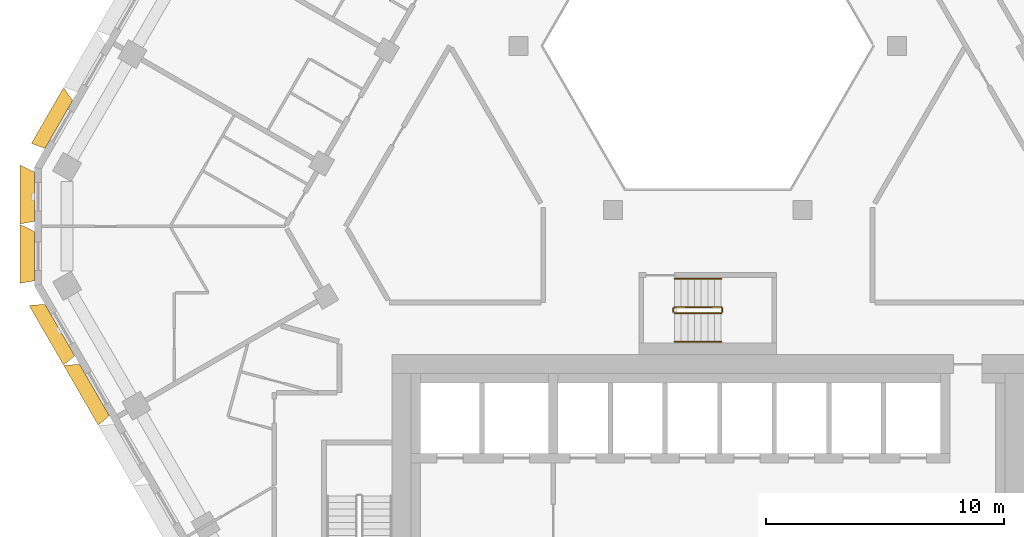
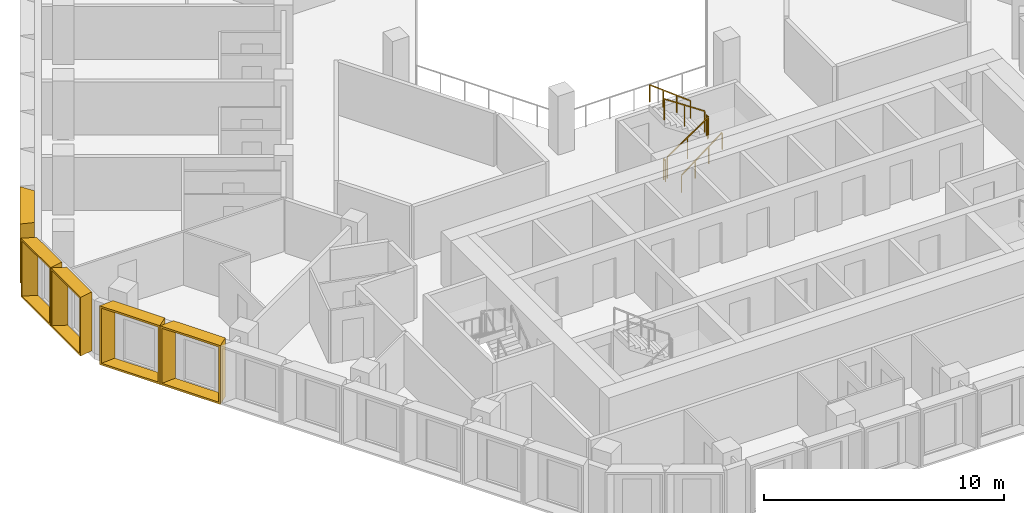
# One storey, part 15 of 17: 6 railings, 5 shading devices.
"""IFC4 building model written with IfcOpenShell, lengths in metres."""

from ifc_helpers import new_model, entity, si_unit, direction, frame, origin, origin_2d, place, context, subcontext, project, spatial, rectangle, extrude, source, transform, mapped, material, type_object, type_shapes, element, save


model = new_model("IFC4")

# Units and contexts
model_context = context("Model", 3, precision=1e-05, world=origin(), true_north=direction((0.0, 1.0)))
body_context = subcontext(model_context, "Body", "Model", "MODEL_VIEW")
ifc_project = project(units=[si_unit("LENGTHUNIT", "METRE"), si_unit("AREAUNIT", "SQUARE_METRE"), si_unit("VOLUMEUNIT", "CUBIC_METRE"), si_unit("PLANEANGLEUNIT", "RADIAN"), si_unit("MASSUNIT", "GRAM", prefix="KILO")], contexts=[model_context])

# Site, building, storey
site_placement = place(None, origin())
site = spatial("IfcSite", under=ifc_project, at=site_placement, CompositionType="ELEMENT")
building_placement = place(site_placement, origin())
building = spatial("IfcBuilding", under=site, at=building_placement, Name="Beryl Residences", CompositionType="ELEMENT")
storey_placement = place(building_placement, frame((0.0, 0.0, 132.60009765625)))
storey = spatial("IfcBuildingStorey", under=building, at=storey_placement, Name="L40", CompositionType="ELEMENT", Elevation=132.60009765625)

# Shading devices
ifc_material_1 = material(Name="Aluminium pale anodised", Category="aluminium")
shading_device_type_1 = type_object("IfcShadingDeviceType", Name="FR250-60B OUTER SKIN frame 600 mm deep, splay 26/10 deg, 2500 x 3000 mm cell", PredefinedType="USERDEFINED", material=ifc_material_1)
cartesian_point_1 = entity("IfcCartesianPoint", [-1.04052734375, 0.0])
cartesian_point_2 = entity("IfcCartesianPoint", [-0.951416015625, 0.10009765625])
cartesian_point_3 = entity("IfcCartesianPoint", [-1.333251953125, 0.0])
cartesian_point_4 = entity("IfcCartesianPoint", [-1.244140625, 0.10009765625])
shared_shape_1 = source(origin(), body_context, "Body", "SweptSolid", [
    entity("IfcExtrudedAreaSolidTapered", entity("IfcArbitraryProfileDefWithVoids", "AREA", None, entity("IfcPolyline", [cartesian_point_1, entity("IfcCartesianPoint", [1.04052734375, 0.0]), entity("IfcCartesianPoint", [1.04052734375, 3.0]), entity("IfcCartesianPoint", [-1.04052734375, 3.0]), cartesian_point_1]), [entity("IfcPolyline", [cartesian_point_2, entity("IfcCartesianPoint", [0.959228515625, 0.10009765625]), entity("IfcCartesianPoint", [0.959228515625, 2.89990234375]), entity("IfcCartesianPoint", [-0.951416015625, 2.89990234375]), cartesian_point_2])]), entity("IfcAxis2Placement3D", entity("IfcCartesianPoint", [0.0, 0.0, 0.0]), entity("IfcDirection", [0.0, 1.0, 0.0]), entity("IfcDirection", [-1.0, 0.0, 0.0])), entity("IfcDirection", [0.0, 0.0, 1.0]), 0.60009765625, entity("IfcArbitraryProfileDefWithVoids", "AREA", None, entity("IfcPolyline", [cartesian_point_3, entity("IfcCartesianPoint", [1.146240234375, 0.0]), entity("IfcCartesianPoint", [1.146240234375, 3.0]), entity("IfcCartesianPoint", [-1.333251953125, 3.0]), cartesian_point_3]), [entity("IfcPolyline", [cartesian_point_4, entity("IfcCartesianPoint", [1.06494140625, 0.10009765625]), entity("IfcCartesianPoint", [1.06494140625, 2.89990234375]), entity("IfcCartesianPoint", [-1.244140625, 2.89990234375]), cartesian_point_4])])),
])
type_shapes(shading_device_type_1, [shared_shape_1])
for number, where, z_axis, x_axis, name in (
    (1, (-28.347900390625, 1.64990234375, 0.0), (0.0, 0.0, 1.0), (0.0, 1.0, 0.0), "FR250-60B frame L40 NW-SW 1"),
    (2, (-28.347900390625, -0.85009765625, 0.0), (0.0, 0.0, 1.0), (0.0, 1.0, 0.0), "FR250-60B frame L40 NW-SW 2"),
):
    element("IfcShadingDevice", number, at=place(storey_placement, frame(where, z_axis=z_axis, x_axis=x_axis)), inside=storey, type_object=shading_device_type_1, Name=name, ObjectType="OUTER SKIN", PredefinedType="USERDEFINED", context=body_context, shape_type="MappedRepresentation", body=[
        mapped(shared_shape_1, transform((0.0, 0.0, 0.0))),
    ])
ifc_material_2 = material(Name="Aluminium pale anodised", Category="aluminium")
shading_device_type_2 = type_object("IfcShadingDeviceType", Name="FR274-60B OUTER SKIN frame 600 mm deep, splay 26/10 deg, 2740 x 3000 mm cell", PredefinedType="USERDEFINED", material=ifc_material_2)
cartesian_point_5 = entity("IfcCartesianPoint", [-1.160400390625, 0.0])
cartesian_point_6 = entity("IfcCartesianPoint", [-1.071533203125, 0.10009765625])
cartesian_point_7 = entity("IfcCartesianPoint", [-1.453125, 0.0])
cartesian_point_8 = entity("IfcCartesianPoint", [-1.364013671875, 0.10009765625])
shared_shape_2 = source(origin(), body_context, "Body", "SweptSolid", [
    entity("IfcExtrudedAreaSolidTapered", entity("IfcArbitraryProfileDefWithVoids", "AREA", None, entity("IfcPolyline", [cartesian_point_5, entity("IfcCartesianPoint", [1.160400390625, 0.0]), entity("IfcCartesianPoint", [1.160400390625, 3.0]), entity("IfcCartesianPoint", [-1.160400390625, 3.0]), cartesian_point_5]), [entity("IfcPolyline", [cartesian_point_6, entity("IfcCartesianPoint", [1.079345703125, 0.10009765625]), entity("IfcCartesianPoint", [1.079345703125, 2.89990234375]), entity("IfcCartesianPoint", [-1.071533203125, 2.89990234375]), cartesian_point_6])]), entity("IfcAxis2Placement3D", entity("IfcCartesianPoint", [0.0, 0.0, 0.0]), entity("IfcDirection", [0.0, 1.0, 0.0]), entity("IfcDirection", [-1.0, 0.0, 0.0])), entity("IfcDirection", [0.0, 0.0, 1.0]), 0.60009765625, entity("IfcArbitraryProfileDefWithVoids", "AREA", None, entity("IfcPolyline", [cartesian_point_7, entity("IfcCartesianPoint", [1.266357421875, 0.0]), entity("IfcCartesianPoint", [1.266357421875, 3.0]), entity("IfcCartesianPoint", [-1.453125, 3.0]), cartesian_point_7]), [entity("IfcPolyline", [cartesian_point_8, entity("IfcCartesianPoint", [1.18505859375, 0.10009765625]), entity("IfcCartesianPoint", [1.18505859375, 2.89990234375]), entity("IfcCartesianPoint", [-1.364013671875, 2.89990234375]), cartesian_point_8])])),
])
type_shapes(shading_device_type_2, [shared_shape_2])
shading_device_placement = place(storey_placement, frame((-27.31591796875, 4.68701171875, 0.0), z_axis=(0.0, 0.0, 1.0), x_axis=(0.5, 0.866025403784, 0.0)))
element("IfcShadingDevice", 3, at=shading_device_placement, inside=storey, type_object=shading_device_type_2, Name="FR274-60B frame L40 NW 8", ObjectType="OUTER SKIN", PredefinedType="USERDEFINED", context=body_context, shape_type="MappedRepresentation", body=[
    mapped(shared_shape_2, transform((0.0, 0.0, 0.0))),
])
ifc_material_3 = material(Name="Aluminium pale anodised", Category="aluminium")
shading_device_type_3 = type_object("IfcShadingDeviceType", Name="FR292-60B OUTER SKIN frame 600 mm deep, splay 26/10 deg, 2920 x 3000 mm cell", PredefinedType="USERDEFINED", material=ifc_material_3)
cartesian_point_9 = entity("IfcCartesianPoint", [-1.25048828125, 0.0])
cartesian_point_10 = entity("IfcCartesianPoint", [-1.161376953125, 0.10009765625])
cartesian_point_11 = entity("IfcCartesianPoint", [-1.543212890625, 0.0])
cartesian_point_12 = entity("IfcCartesianPoint", [-1.4541015625, 0.10009765625])
shared_shape_3 = source(origin(), body_context, "Body", "SweptSolid", [
    entity("IfcExtrudedAreaSolidTapered", entity("IfcArbitraryProfileDefWithVoids", "AREA", None, entity("IfcPolyline", [cartesian_point_9, entity("IfcCartesianPoint", [1.25048828125, 0.0]), entity("IfcCartesianPoint", [1.25048828125, 3.0]), entity("IfcCartesianPoint", [-1.25048828125, 3.0]), cartesian_point_9]), [entity("IfcPolyline", [cartesian_point_10, entity("IfcCartesianPoint", [1.169189453125, 0.10009765625]), entity("IfcCartesianPoint", [1.169189453125, 2.89990234375]), entity("IfcCartesianPoint", [-1.161376953125, 2.89990234375]), cartesian_point_10])]), entity("IfcAxis2Placement3D", entity("IfcCartesianPoint", [0.0, 0.0, 0.0]), entity("IfcDirection", [0.0, 1.0, 0.0]), entity("IfcDirection", [-1.0, 0.0, 0.0])), entity("IfcDirection", [0.0, 0.0, 1.0]), 0.60009765625, entity("IfcArbitraryProfileDefWithVoids", "AREA", None, entity("IfcPolyline", [cartesian_point_11, entity("IfcCartesianPoint", [1.356201171875, 0.0]), entity("IfcCartesianPoint", [1.356201171875, 3.0]), entity("IfcCartesianPoint", [-1.543212890625, 3.0]), cartesian_point_11]), [entity("IfcPolyline", [cartesian_point_12, entity("IfcCartesianPoint", [1.275146484375, 0.10009765625]), entity("IfcCartesianPoint", [1.275146484375, 2.89990234375]), entity("IfcCartesianPoint", [-1.4541015625, 2.89990234375]), cartesian_point_12])])),
])
type_shapes(shading_device_type_3, [shared_shape_3])
for number, where, z_axis, x_axis, name in (
    (4, (-27.27294921875, -3.9619140625, 0.0), (0.0, 0.0, 1.0), (-0.5, 0.866025403784, 0.0), "FR292-60B frame L40 SW 1"),
    (5, (-25.81494140625, -6.487060546875, 0.0), (0.0, 0.0, 1.0), (-0.5, 0.866025403784, 0.0), "FR292-60B frame L40 SW 2"),
):
    element("IfcShadingDevice", number, at=place(storey_placement, frame(where, z_axis=z_axis, x_axis=x_axis)), inside=storey, type_object=shading_device_type_3, Name=name, ObjectType="OUTER SKIN", PredefinedType="USERDEFINED", context=body_context, shape_type="MappedRepresentation", body=[
        mapped(shared_shape_3, transform((0.0, 0.0, 0.0))),
    ])

# Railings
ifc_material_4 = material(Name="Stainless steel balustrade with glass infill", Category="steel")
railing_type_1 = type_object("IfcRailingType", Name="SG1 stair guard 1100 mm", PredefinedType="GUARDRAIL", material=ifc_material_4)
railing_1_placement = place(storey_placement, frame((-1.39990234375, -3.25, 0.1875)))
element("IfcRailing", 6, at=railing_1_placement, inside=storey, type_object=railing_type_1, Name="L40 ST-4 stair guard 1", PredefinedType="GUARDRAIL", context=body_context, shape_type="SweptSolid", body=[
    extrude(rectangle(XDim=0.048095703125, YDim=0.048095703125, at=origin_2d()), frame((0.0, 0.0, 1.076171875), z_axis=(0.830902050051, 0.0, 0.556418712142), x_axis=(0.0, 1.0, 0.0)), (0.0, 0.0, 1.0), 2.35888671875),
    extrude(rectangle(XDim=0.0419921875, YDim=0.0419921875, at=origin_2d()), origin(), (0.0, 0.0, 1.0), 1.052001953125),
    extrude(rectangle(XDim=0.0419921875, YDim=0.0419921875, at=origin_2d()), frame((0.97998046875, 0.0, 0.65625)), (0.0, 0.0, 1.0), 1.052001953125),
    extrude(rectangle(XDim=0.0419921875, YDim=0.0419921875, at=origin_2d()), frame((1.9599609375, 0.0, 1.3125)), (0.0, 0.0, 1.0), 1.052001953125),
])
railing_2_placement = place(storey_placement, frame((0.610107421875, -3.199951171875, 1.5)))
element("IfcRailing", 7, at=railing_2_placement, inside=storey, type_object=railing_type_1, Name="L40 ST-4 stair guard 2", PredefinedType="GUARDRAIL", context=body_context, shape_type="SweptSolid", body=[
    extrude(rectangle(XDim=0.048095703125, YDim=0.048095703125, at=origin_2d()), frame((0.0, 0.0, 1.076171875), z_axis=(0.0, 1.0, 0.0), x_axis=(-1.0, 0.0, 0.0)), (0.0, 0.0, 1.0), 0.14990234375),
    extrude(rectangle(XDim=0.0419921875, YDim=0.0419921875, at=origin_2d()), origin(), (0.0, 0.0, 1.0), 1.052001953125),
    extrude(rectangle(XDim=0.0419921875, YDim=0.0419921875, at=origin_2d()), frame((0.0, 0.14990234375, 0.0)), (0.0, 0.0, 1.0), 1.052001953125),
])
railing_3_placement = place(storey_placement, frame((0.56005859375, -3.0, 1.6875)))
element("IfcRailing", 8, at=railing_3_placement, inside=storey, type_object=railing_type_1, Name="L40 ST-4 stair guard 3", PredefinedType="GUARDRAIL", context=body_context, shape_type="SweptSolid", body=[
    extrude(rectangle(XDim=0.048095703125, YDim=0.048095703125, at=origin_2d()), frame((0.0, 0.0, 1.076171875), z_axis=(-0.830902050051, 0.0, 0.556418712142), x_axis=(0.0, -1.0, 0.0)), (0.0, 0.0, 1.0), 2.35888671875),
    extrude(rectangle(XDim=0.0419921875, YDim=0.0419921875, at=origin_2d()), origin(), (0.0, 0.0, 1.0), 1.052001953125),
    extrude(rectangle(XDim=0.0419921875, YDim=0.0419921875, at=origin_2d()), frame((-0.97998046875, 0.0, 0.65625)), (0.0, 0.0, 1.0), 1.052001953125),
    extrude(rectangle(XDim=0.0419921875, YDim=0.0419921875, at=origin_2d()), frame((-1.9599609375, 0.0, 1.3125)), (0.0, 0.0, 1.0), 1.052001953125),
])
railing_4_placement = place(storey_placement, frame((-1.449951171875, -3.199951171875, 0.0)))
element("IfcRailing", 9, at=railing_4_placement, inside=storey, type_object=railing_type_1, Name="L40 ST-4 stair guard 4", PredefinedType="GUARDRAIL", context=body_context, shape_type="SweptSolid", body=[
    extrude(rectangle(XDim=0.048095703125, YDim=0.048095703125, at=origin_2d()), frame((0.0, 0.0, 1.076171875), z_axis=(0.0, 1.0, 0.0), x_axis=(-1.0, 0.0, 0.0)), (0.0, 0.0, 1.0), 0.14990234375),
    extrude(rectangle(XDim=0.0419921875, YDim=0.0419921875, at=origin_2d()), origin(), (0.0, 0.0, 1.0), 1.052001953125),
    extrude(rectangle(XDim=0.0419921875, YDim=0.0419921875, at=origin_2d()), frame((0.0, 0.14990234375, 0.0)), (0.0, 0.0, 1.0), 1.052001953125),
])
ifc_material_5 = material(Name="Stainless steel handrail", Category="steel")
railing_type_2 = type_object("IfcRailingType", Name="SRL1 stair handrail 900 mm", PredefinedType="HANDRAIL", material=ifc_material_5)
railing_5_placement = place(storey_placement, frame((-1.39990234375, -4.449951171875, 0.1875)))
element("IfcRailing", 10, at=railing_5_placement, inside=storey, type_object=railing_type_2, Name="L40 ST-4 stair handrail 1", PredefinedType="HANDRAIL", context=body_context, shape_type="SweptSolid", body=[
    extrude(rectangle(XDim=0.048095703125, YDim=0.048095703125, at=origin_2d()), frame((0.0, 0.0, 0.8759765625), z_axis=(0.794121922505, 0.0, 0.607758481798), x_axis=(0.0, 1.0, 0.0)), (0.0, 0.0, 1.0), 2.468017578125),
    extrude(rectangle(XDim=0.0419921875, YDim=0.0419921875, at=origin_2d()), origin(), (0.0, 0.0, 1.0), 0.851806640625),
    extrude(rectangle(XDim=0.0419921875, YDim=0.0419921875, at=origin_2d()), frame((0.6533203125, 0.0, 0.5)), (0.0, 0.0, 1.0), 0.851806640625),
    extrude(rectangle(XDim=0.0419921875, YDim=0.0419921875, at=origin_2d()), frame((1.306640625, 0.0, 1.0)), (0.0, 0.0, 1.0), 0.851806640625),
    extrude(rectangle(XDim=0.0419921875, YDim=0.0419921875, at=origin_2d()), frame((1.9599609375, 0.0, 1.5)), (0.0, 0.0, 1.0), 0.851806640625),
])
railing_6_placement = place(storey_placement, frame((0.56005859375, -1.800048828125, 1.6875)))
element("IfcRailing", 11, at=railing_6_placement, inside=storey, type_object=railing_type_2, Name="L40 ST-4 stair handrail 2", PredefinedType="HANDRAIL", context=body_context, shape_type="SweptSolid", body=[
    extrude(rectangle(XDim=0.048095703125, YDim=0.048095703125, at=origin_2d()), frame((0.0, 0.0, 0.8759765625), z_axis=(-0.794121922505, 0.0, 0.607758481798), x_axis=(0.0, -1.0, 0.0)), (0.0, 0.0, 1.0), 2.468017578125),
    extrude(rectangle(XDim=0.0419921875, YDim=0.0419921875, at=origin_2d()), origin(), (0.0, 0.0, 1.0), 0.851806640625),
    extrude(rectangle(XDim=0.0419921875, YDim=0.0419921875, at=origin_2d()), frame((-0.6533203125, 0.0, 0.5)), (0.0, 0.0, 1.0), 0.851806640625),
    extrude(rectangle(XDim=0.0419921875, YDim=0.0419921875, at=origin_2d()), frame((-1.306640625, 0.0, 1.0)), (0.0, 0.0, 1.0), 0.851806640625),
    extrude(rectangle(XDim=0.0419921875, YDim=0.0419921875, at=origin_2d()), frame((-1.9599609375, 0.0, 1.5)), (0.0, 0.0, 1.0), 0.851806640625),
])

save(model, "model.ifc")
